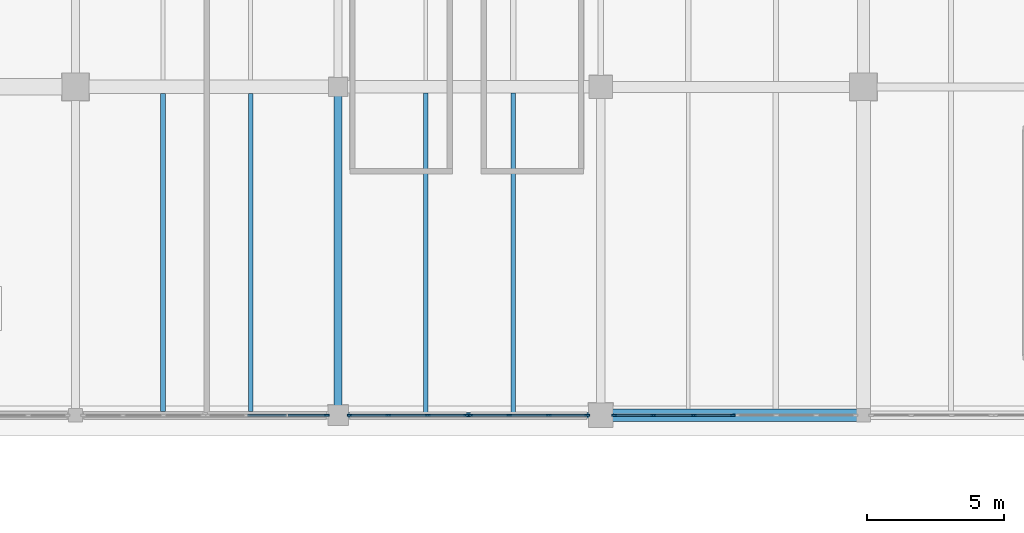
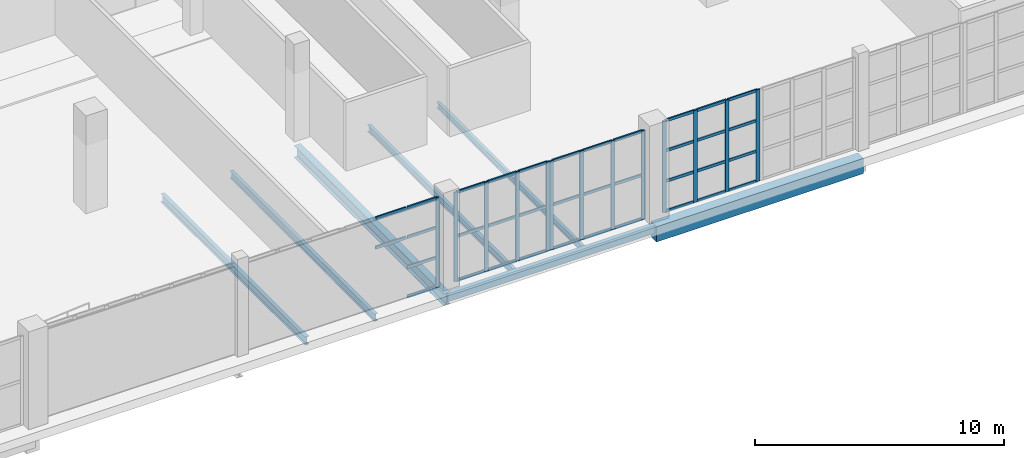
# One storey, part 19 of 121: 49 members, 7 beams, 4 elements without a shape of their own.
"""IFC4 building model written with IfcOpenShell, lengths in metres."""

from ifc_helpers import new_model, si_unit, direction, frame, origin, origin_2d, place, context, subcontext, project, spatial, rectangle, hollow_rectangle, i_section, extrude, material, layer, layer_set, material_profile, profile_set, type_object, element, aggregate, save


model = new_model("IFC4")

# Units and contexts
model_context = context("Model", 3, precision=1e-05, world=origin(), true_north=direction((0.0, 1.0)))
body_context = subcontext(model_context, "Body", "Model", "MODEL_VIEW")
ifc_project = project(units=[si_unit("LENGTHUNIT", "METRE"), si_unit("AREAUNIT", "SQUARE_METRE"), si_unit("VOLUMEUNIT", "CUBIC_METRE"), si_unit("PLANEANGLEUNIT", "RADIAN"), si_unit("MASSUNIT", "GRAM", prefix="KILO")], contexts=[model_context])

# Site, building, storey
site_placement = place(None, origin())
site = spatial("IfcSite", under=ifc_project, at=site_placement, CompositionType="ELEMENT")
building_placement = place(site_placement, origin())
building = spatial("IfcBuilding", under=site, at=building_placement, Name="Zereglee Splitstone Museum", CompositionType="ELEMENT")
storey_placement = place(building_placement, origin())
storey = spatial("IfcBuildingStorey", under=building, at=storey_placement, Name="L00", CompositionType="ELEMENT", Elevation=0.0)

# Curtain wall, member
ifc_material_1 = material(Name="Triple-glazed low-E argon glass and bronze-anodised aluminium", Category="aluminium")
ifc_layer_1 = layer(ifc_material_1, 0.179931640625)
ifc_layer_set_1 = layer_set([ifc_layer_1], Name="Triple-glazed low-E argon glass and bronze-anodised aluminium")
curtain_wall_type_1 = type_object("IfcCurtainWallType", Name="CW-0444-442", PredefinedType="USERDEFINED", material=ifc_layer_set_1)
curtain_wall_1_placement = place(storey_placement, origin())
curtain_wall_1 = element("IfcCurtainWall", 1, at=curtain_wall_1_placement, inside=storey, type_object=curtain_wall_type_1, Name="Glazed Curtain Wall CW-0444-442 (L00)", ObjectType="GLAZED CURTAIN WALL", PredefinedType="USERDEFINED")
ifc_material_2 = material(Name="Thermally broken bronze-anodised aluminium", Category="aluminium")
ifc_material_profile_1 = material_profile(ifc_material_2, rectangle(XDim=0.06494140625, YDim=0.179931640625, at=origin_2d()), Name="CW MULL 65x180")
ifc_profile_set_1 = profile_set([ifc_material_profile_1], Name="Thermally broken bronze-anodised aluminium")
member_type_1 = type_object("IfcMemberType", Name="CWM-01", PredefinedType="MULLION", material=ifc_profile_set_1)
member_1_placement = place(storey_placement, frame((115.984619140625, 9.60009765625, 0.0), z_axis=(0.0, 0.0, 1.0), x_axis=(0.0, 1.0, 0.0)))
member_1 = element("IfcMember", 2, at=member_1_placement, type_object=member_type_1, Name="CW-0444-442 mullion 4", PredefinedType="MULLION", context=body_context, shape_type="SweptSolid", body=[
    extrude(rectangle(XDim=0.06494140625, YDim=0.179931640625, at=origin_2d()), origin(), (0.0, 0.0, 1.0), 4.419921875),
])

# Curtain wall, members
ifc_layer_2 = layer(ifc_material_1, 0.179931640625)
ifc_layer_set_2 = layer_set([ifc_layer_2], Name="Triple-glazed low-E argon glass and bronze-anodised aluminium")
curtain_wall_type_2 = type_object("IfcCurtainWallType", Name="CW-0434-438", PredefinedType="USERDEFINED", material=ifc_layer_set_2)
curtain_wall_2_placement = place(storey_placement, origin())
curtain_wall_2 = element("IfcCurtainWall", 3, at=curtain_wall_2_placement, inside=storey, type_object=curtain_wall_type_2, Name="Glazed Curtain Wall CW-0434-438 (L00)", ObjectType="GLAZED CURTAIN WALL", PredefinedType="USERDEFINED")
member_2_placement = place(storey_placement, frame((116.8154296875, 9.60009765625, 0.0), z_axis=(0.0, 0.0, 1.0), x_axis=(0.0, 1.0, 0.0)))
member_2 = element("IfcMember", 4, at=member_2_placement, type_object=member_type_1, Name="CW-0434-438 mullion 1", PredefinedType="MULLION", context=body_context, shape_type="SweptSolid", body=[
    extrude(rectangle(XDim=0.06494140625, YDim=0.179931640625, at=origin_2d()), origin(), (0.0, 0.0, 1.0), 4.3798828125),
])
member_3_placement = place(storey_placement, frame((118.2294921875, 9.60009765625, 0.0), z_axis=(0.0, 0.0, 1.0), x_axis=(0.0, 1.0, 0.0)))
member_3 = element("IfcMember", 5, at=member_3_placement, type_object=member_type_1, Name="CW-0434-438 mullion 2", PredefinedType="MULLION", context=body_context, shape_type="SweptSolid", body=[
    extrude(rectangle(XDim=0.06494140625, YDim=0.179931640625, at=origin_2d()), origin(), (0.0, 0.0, 1.0), 4.3798828125),
])
member_4_placement = place(storey_placement, frame((119.676025390625, 9.60009765625, 0.0), z_axis=(0.0, 0.0, 1.0), x_axis=(0.0, 1.0, 0.0)))
member_4 = element("IfcMember", 6, at=member_4_placement, type_object=member_type_1, Name="CW-0434-438 mullion 3", PredefinedType="MULLION", context=body_context, shape_type="SweptSolid", body=[
    extrude(rectangle(XDim=0.06494140625, YDim=0.179931640625, at=origin_2d()), origin(), (0.0, 0.0, 1.0), 4.3798828125),
])
member_5_placement = place(storey_placement, frame((121.090087890625, 9.60009765625, 0.0), z_axis=(0.0, 0.0, 1.0), x_axis=(0.0, 1.0, 0.0)))
member_5 = element("IfcMember", 7, at=member_5_placement, type_object=member_type_1, Name="CW-0434-438 mullion 4", PredefinedType="MULLION", context=body_context, shape_type="SweptSolid", body=[
    extrude(rectangle(XDim=0.06494140625, YDim=0.179931640625, at=origin_2d()), origin(), (0.0, 0.0, 1.0), 4.3798828125),
])

ifc_layer_3 = layer(ifc_material_1, 0.179931640625)
ifc_layer_set_3 = layer_set([ifc_layer_3], Name="Triple-glazed low-E argon glass and bronze-anodised aluminium")
curtain_wall_type_3 = type_object("IfcCurtainWallType", Name="CW-0434-436", PredefinedType="USERDEFINED", material=ifc_layer_set_3)
curtain_wall_3_placement = place(storey_placement, origin())
curtain_wall_3 = element("IfcCurtainWall", 8, at=curtain_wall_3_placement, inside=storey, type_object=curtain_wall_type_3, Name="Glazed Curtain Wall CW-0434-436 (L00)", ObjectType="GLAZED CURTAIN WALL", PredefinedType="USERDEFINED")
member_6_placement = place(storey_placement, frame((121.235107421875, 9.60009765625, 0.0), z_axis=(0.0, 0.0, 1.0), x_axis=(0.0, 1.0, 0.0)))
member_6 = element("IfcMember", 9, at=member_6_placement, type_object=member_type_1, Name="CW-0434-436 mullion 1", PredefinedType="MULLION", context=body_context, shape_type="SweptSolid", body=[
    extrude(rectangle(XDim=0.06494140625, YDim=0.179931640625, at=origin_2d()), origin(), (0.0, 0.0, 1.0), 4.360107421875),
])
member_7_placement = place(storey_placement, frame((122.64892578125, 9.60009765625, 0.0), z_axis=(0.0, 0.0, 1.0), x_axis=(0.0, 1.0, 0.0)))
member_7 = element("IfcMember", 10, at=member_7_placement, type_object=member_type_1, Name="CW-0434-436 mullion 2", PredefinedType="MULLION", context=body_context, shape_type="SweptSolid", body=[
    extrude(rectangle(XDim=0.06494140625, YDim=0.179931640625, at=origin_2d()), origin(), (0.0, 0.0, 1.0), 4.360107421875),
])
member_8_placement = place(storey_placement, frame((124.095458984375, 9.60009765625, 0.0), z_axis=(0.0, 0.0, 1.0), x_axis=(0.0, 1.0, 0.0)))
member_8 = element("IfcMember", 11, at=member_8_placement, type_object=member_type_1, Name="CW-0434-436 mullion 3", PredefinedType="MULLION", context=body_context, shape_type="SweptSolid", body=[
    extrude(rectangle(XDim=0.06494140625, YDim=0.179931640625, at=origin_2d()), origin(), (0.0, 0.0, 1.0), 4.360107421875),
])
member_9_placement = place(storey_placement, frame((125.509521484375, 9.60009765625, 0.0), z_axis=(0.0, 0.0, 1.0), x_axis=(0.0, 1.0, 0.0)))
member_9 = element("IfcMember", 12, at=member_9_placement, type_object=member_type_1, Name="CW-0434-436 mullion 4", PredefinedType="MULLION", context=body_context, shape_type="SweptSolid", body=[
    extrude(rectangle(XDim=0.06494140625, YDim=0.179931640625, at=origin_2d()), origin(), (0.0, 0.0, 1.0), 4.360107421875),
])

ifc_layer_4 = layer(ifc_material_1, 0.179931640625)
ifc_layer_set_4 = layer_set([ifc_layer_4], Name="Triple-glazed low-E argon glass and bronze-anodised aluminium")
curtain_wall_type_4 = type_object("IfcCurtainWallType", Name="CW-0440-450", PredefinedType="USERDEFINED", material=ifc_layer_set_4)
curtain_wall_4_placement = place(storey_placement, origin())
curtain_wall_4 = element("IfcCurtainWall", 13, at=curtain_wall_4_placement, inside=storey, type_object=curtain_wall_type_4, Name="Glazed Curtain Wall CW-0440-450 (L00)", ObjectType="GLAZED CURTAIN WALL", PredefinedType="USERDEFINED")
member_10_placement = place(storey_placement, frame((126.490478515625, 9.60009765625, 0.0), z_axis=(0.0, 0.0, 1.0), x_axis=(0.0, 1.0, 0.0)))
member_10 = element("IfcMember", 14, at=member_10_placement, type_object=member_type_1, Name="CW-0440-450 mullion 1", PredefinedType="MULLION", context=body_context, shape_type="SweptSolid", body=[
    extrude(rectangle(XDim=0.06494140625, YDim=0.179931640625, at=origin_2d()), origin(), (0.0, 0.0, 1.0), 4.5),
])
member_11_placement = place(storey_placement, frame((127.92529296875, 9.60009765625, 0.0), z_axis=(0.0, 0.0, 1.0), x_axis=(0.0, 1.0, 0.0)))
member_11 = element("IfcMember", 15, at=member_11_placement, type_object=member_type_1, Name="CW-0440-450 mullion 2", PredefinedType="MULLION", context=body_context, shape_type="SweptSolid", body=[
    extrude(rectangle(XDim=0.06494140625, YDim=0.179931640625, at=origin_2d()), origin(), (0.0, 0.0, 1.0), 4.5),
])
member_12_placement = place(storey_placement, frame((129.392578125, 9.60009765625, 0.0), z_axis=(0.0, 0.0, 1.0), x_axis=(0.0, 1.0, 0.0)))
member_12 = element("IfcMember", 16, at=member_12_placement, type_object=member_type_1, Name="CW-0440-450 mullion 3", PredefinedType="MULLION", context=body_context, shape_type="SweptSolid", body=[
    extrude(rectangle(XDim=0.06494140625, YDim=0.179931640625, at=origin_2d()), origin(), (0.0, 0.0, 1.0), 4.5),
])
member_13_placement = place(storey_placement, frame((130.827392578125, 9.60009765625, 0.0), z_axis=(0.0, 0.0, 1.0), x_axis=(0.0, 1.0, 0.0)))
member_13 = element("IfcMember", 17, at=member_13_placement, type_object=member_type_1, Name="CW-0440-450 mullion 4", PredefinedType="MULLION", context=body_context, shape_type="SweptSolid", body=[
    extrude(rectangle(XDim=0.06494140625, YDim=0.179931640625, at=origin_2d()), origin(), (0.0, 0.0, 1.0), 4.5),
])

# Member
ifc_material_profile_2 = material_profile(ifc_material_2, rectangle(XDim=0.06494140625, YDim=0.139892578125, at=origin_2d()), Name="CW TRAN 65x140")
ifc_profile_set_2 = profile_set([ifc_material_profile_2], Name="Thermally broken bronze-anodised aluminium")
member_type_2 = type_object("IfcMemberType", Name="CWT-01", PredefinedType="USERDEFINED", material=ifc_profile_set_2)
member_14_placement = place(storey_placement, frame((113.08984375, 9.60009765625, 2.94677734375), z_axis=(1.0, 0.0, 0.0), x_axis=(0.0, 1.0, 0.0)))
member_14 = element("IfcMember", 18, at=member_14_placement, type_object=member_type_2, Name="CW-0444-442 transom 2.3", ObjectType="TRANSOM", PredefinedType="USERDEFINED", context=body_context, shape_type="SweptSolid", body=[
    extrude(rectangle(XDim=0.06494140625, YDim=0.139892578125, at=origin_2d()), origin(), (0.0, 0.0, 1.0), 1.414794921875),
])

member_15_placement = place(storey_placement, frame((113.08984375, 9.60009765625, 4.387451171875), z_axis=(1.0, 0.0, 0.0), x_axis=(0.0, 1.0, 0.0)))
member_15 = element("IfcMember", 19, at=member_15_placement, type_object=member_type_2, Name="CW-0444-442 transom 2.4", ObjectType="TRANSOM", PredefinedType="USERDEFINED", context=body_context, shape_type="SweptSolid", body=[
    extrude(rectangle(XDim=0.06494140625, YDim=0.139892578125, at=origin_2d()), origin(), (0.0, 0.0, 1.0), 1.414794921875),
])

member_16_placement = place(storey_placement, frame((114.569580078125, 9.60009765625, 0.032470703125), z_axis=(1.0, 0.0, 0.0), x_axis=(0.0, 1.0, 0.0)))
member_16 = element("IfcMember", 20, at=member_16_placement, type_object=member_type_2, Name="CW-0444-442 transom 3.1", ObjectType="TRANSOM", PredefinedType="USERDEFINED", context=body_context, shape_type="SweptSolid", body=[
    extrude(rectangle(XDim=0.06494140625, YDim=0.139892578125, at=origin_2d()), origin(), (0.0, 0.0, 1.0), 1.38232421875),
])

member_17_placement = place(storey_placement, frame((114.569580078125, 9.60009765625, 1.473388671875), z_axis=(1.0, 0.0, 0.0), x_axis=(0.0, 1.0, 0.0)))
member_17 = element("IfcMember", 21, at=member_17_placement, type_object=member_type_2, Name="CW-0444-442 transom 3.2", ObjectType="TRANSOM", PredefinedType="USERDEFINED", context=body_context, shape_type="SweptSolid", body=[
    extrude(rectangle(XDim=0.06494140625, YDim=0.139892578125, at=origin_2d()), origin(), (0.0, 0.0, 1.0), 1.38232421875),
])

member_18_placement = place(storey_placement, frame((114.569580078125, 9.60009765625, 2.94677734375), z_axis=(1.0, 0.0, 0.0), x_axis=(0.0, 1.0, 0.0)))
member_18 = element("IfcMember", 22, at=member_18_placement, type_object=member_type_2, Name="CW-0444-442 transom 3.3", ObjectType="TRANSOM", PredefinedType="USERDEFINED", context=body_context, shape_type="SweptSolid", body=[
    extrude(rectangle(XDim=0.06494140625, YDim=0.139892578125, at=origin_2d()), origin(), (0.0, 0.0, 1.0), 1.38232421875),
])

member_19_placement = place(storey_placement, frame((114.569580078125, 9.60009765625, 4.387451171875), z_axis=(1.0, 0.0, 0.0), x_axis=(0.0, 1.0, 0.0)))
member_19 = element("IfcMember", 23, at=member_19_placement, type_object=member_type_2, Name="CW-0444-442 transom 3.4", ObjectType="TRANSOM", PredefinedType="USERDEFINED", context=body_context, shape_type="SweptSolid", body=[
    extrude(rectangle(XDim=0.06494140625, YDim=0.139892578125, at=origin_2d()), origin(), (0.0, 0.0, 1.0), 1.38232421875),
])

aggregate(curtain_wall_1, [member_1, member_14, member_15, member_16, member_17, member_18, member_19])

member_20_placement = place(storey_placement, frame((116.847900390625, 9.60009765625, 0.032470703125), z_axis=(1.0, 0.0, 0.0), x_axis=(0.0, 1.0, 0.0)))
member_20 = element("IfcMember", 24, at=member_20_placement, type_object=member_type_2, Name="CW-0434-438 transom 1.1", ObjectType="TRANSOM", PredefinedType="USERDEFINED", context=body_context, shape_type="SweptSolid", body=[
    extrude(rectangle(XDim=0.06494140625, YDim=0.139892578125, at=origin_2d()), origin(), (0.0, 0.0, 1.0), 1.34912109375),
])

member_21_placement = place(storey_placement, frame((116.847900390625, 9.60009765625, 2.18994140625), z_axis=(1.0, 0.0, 0.0), x_axis=(0.0, 1.0, 0.0)))
member_21 = element("IfcMember", 25, at=member_21_placement, type_object=member_type_2, Name="CW-0434-438 transom 1.2", ObjectType="TRANSOM", PredefinedType="USERDEFINED", context=body_context, shape_type="SweptSolid", body=[
    extrude(rectangle(XDim=0.06494140625, YDim=0.139892578125, at=origin_2d()), origin(), (0.0, 0.0, 1.0), 1.34912109375),
])

member_22_placement = place(storey_placement, frame((116.847900390625, 9.60009765625, 4.347412109375), z_axis=(1.0, 0.0, 0.0), x_axis=(0.0, 1.0, 0.0)))
member_22 = element("IfcMember", 26, at=member_22_placement, type_object=member_type_2, Name="CW-0434-438 transom 1.3", ObjectType="TRANSOM", PredefinedType="USERDEFINED", context=body_context, shape_type="SweptSolid", body=[
    extrude(rectangle(XDim=0.06494140625, YDim=0.139892578125, at=origin_2d()), origin(), (0.0, 0.0, 1.0), 1.34912109375),
])

member_23_placement = place(storey_placement, frame((118.261962890625, 9.60009765625, 0.032470703125), z_axis=(1.0, 0.0, 0.0), x_axis=(0.0, 1.0, 0.0)))
member_23 = element("IfcMember", 27, at=member_23_placement, type_object=member_type_2, Name="CW-0434-438 transom 2.1", ObjectType="TRANSOM", PredefinedType="USERDEFINED", context=body_context, shape_type="SweptSolid", body=[
    extrude(rectangle(XDim=0.06494140625, YDim=0.139892578125, at=origin_2d()), origin(), (0.0, 0.0, 1.0), 1.381591796875),
])

member_24_placement = place(storey_placement, frame((118.261962890625, 9.60009765625, 2.18994140625), z_axis=(1.0, 0.0, 0.0), x_axis=(0.0, 1.0, 0.0)))
member_24 = element("IfcMember", 28, at=member_24_placement, type_object=member_type_2, Name="CW-0434-438 transom 2.2", ObjectType="TRANSOM", PredefinedType="USERDEFINED", context=body_context, shape_type="SweptSolid", body=[
    extrude(rectangle(XDim=0.06494140625, YDim=0.139892578125, at=origin_2d()), origin(), (0.0, 0.0, 1.0), 1.381591796875),
])

member_25_placement = place(storey_placement, frame((118.261962890625, 9.60009765625, 4.347412109375), z_axis=(1.0, 0.0, 0.0), x_axis=(0.0, 1.0, 0.0)))
member_25 = element("IfcMember", 29, at=member_25_placement, type_object=member_type_2, Name="CW-0434-438 transom 2.3", ObjectType="TRANSOM", PredefinedType="USERDEFINED", context=body_context, shape_type="SweptSolid", body=[
    extrude(rectangle(XDim=0.06494140625, YDim=0.139892578125, at=origin_2d()), origin(), (0.0, 0.0, 1.0), 1.381591796875),
])

member_26_placement = place(storey_placement, frame((119.70849609375, 9.60009765625, 0.032470703125), z_axis=(1.0, 0.0, 0.0), x_axis=(0.0, 1.0, 0.0)))
member_26 = element("IfcMember", 30, at=member_26_placement, type_object=member_type_2, Name="CW-0434-438 transom 3.1", ObjectType="TRANSOM", PredefinedType="USERDEFINED", context=body_context, shape_type="SweptSolid", body=[
    extrude(rectangle(XDim=0.06494140625, YDim=0.139892578125, at=origin_2d()), origin(), (0.0, 0.0, 1.0), 1.34912109375),
])

member_27_placement = place(storey_placement, frame((119.70849609375, 9.60009765625, 2.18994140625), z_axis=(1.0, 0.0, 0.0), x_axis=(0.0, 1.0, 0.0)))
member_27 = element("IfcMember", 31, at=member_27_placement, type_object=member_type_2, Name="CW-0434-438 transom 3.2", ObjectType="TRANSOM", PredefinedType="USERDEFINED", context=body_context, shape_type="SweptSolid", body=[
    extrude(rectangle(XDim=0.06494140625, YDim=0.139892578125, at=origin_2d()), origin(), (0.0, 0.0, 1.0), 1.34912109375),
])

member_28_placement = place(storey_placement, frame((119.70849609375, 9.60009765625, 4.347412109375), z_axis=(1.0, 0.0, 0.0), x_axis=(0.0, 1.0, 0.0)))
member_28 = element("IfcMember", 32, at=member_28_placement, type_object=member_type_2, Name="CW-0434-438 transom 3.3", ObjectType="TRANSOM", PredefinedType="USERDEFINED", context=body_context, shape_type="SweptSolid", body=[
    extrude(rectangle(XDim=0.06494140625, YDim=0.139892578125, at=origin_2d()), origin(), (0.0, 0.0, 1.0), 1.34912109375),
])

aggregate(curtain_wall_2, [member_2, member_3, member_4, member_5, member_20, member_21, member_22, member_23, member_24, member_25, member_26, member_27, member_28])

member_29_placement = place(storey_placement, frame((121.267578125, 9.60009765625, 0.032470703125), z_axis=(1.0, 0.0, 0.0), x_axis=(0.0, 1.0, 0.0)))
member_29 = element("IfcMember", 33, at=member_29_placement, type_object=member_type_2, Name="CW-0434-436 transom 1.1", ObjectType="TRANSOM", PredefinedType="USERDEFINED", context=body_context, shape_type="SweptSolid", body=[
    extrude(rectangle(XDim=0.06494140625, YDim=0.139892578125, at=origin_2d()), origin(), (0.0, 0.0, 1.0), 1.348876953125),
])

member_30_placement = place(storey_placement, frame((121.267578125, 9.60009765625, 2.179931640625), z_axis=(1.0, 0.0, 0.0), x_axis=(0.0, 1.0, 0.0)))
member_30 = element("IfcMember", 34, at=member_30_placement, type_object=member_type_2, Name="CW-0434-436 transom 1.2", ObjectType="TRANSOM", PredefinedType="USERDEFINED", context=body_context, shape_type="SweptSolid", body=[
    extrude(rectangle(XDim=0.06494140625, YDim=0.139892578125, at=origin_2d()), origin(), (0.0, 0.0, 1.0), 1.348876953125),
])

member_31_placement = place(storey_placement, frame((121.267578125, 9.60009765625, 4.327392578125), z_axis=(1.0, 0.0, 0.0), x_axis=(0.0, 1.0, 0.0)))
member_31 = element("IfcMember", 35, at=member_31_placement, type_object=member_type_2, Name="CW-0434-436 transom 1.3", ObjectType="TRANSOM", PredefinedType="USERDEFINED", context=body_context, shape_type="SweptSolid", body=[
    extrude(rectangle(XDim=0.06494140625, YDim=0.139892578125, at=origin_2d()), origin(), (0.0, 0.0, 1.0), 1.348876953125),
])

member_32_placement = place(storey_placement, frame((122.681396484375, 9.60009765625, 0.032470703125), z_axis=(1.0, 0.0, 0.0), x_axis=(0.0, 1.0, 0.0)))
member_32 = element("IfcMember", 36, at=member_32_placement, type_object=member_type_2, Name="CW-0434-436 transom 2.1", ObjectType="TRANSOM", PredefinedType="USERDEFINED", context=body_context, shape_type="SweptSolid", body=[
    extrude(rectangle(XDim=0.06494140625, YDim=0.139892578125, at=origin_2d()), origin(), (0.0, 0.0, 1.0), 1.381591796875),
])

member_33_placement = place(storey_placement, frame((122.681396484375, 9.60009765625, 2.179931640625), z_axis=(1.0, 0.0, 0.0), x_axis=(0.0, 1.0, 0.0)))
member_33 = element("IfcMember", 37, at=member_33_placement, type_object=member_type_2, Name="CW-0434-436 transom 2.2", ObjectType="TRANSOM", PredefinedType="USERDEFINED", context=body_context, shape_type="SweptSolid", body=[
    extrude(rectangle(XDim=0.06494140625, YDim=0.139892578125, at=origin_2d()), origin(), (0.0, 0.0, 1.0), 1.381591796875),
])

member_34_placement = place(storey_placement, frame((122.681396484375, 9.60009765625, 4.327392578125), z_axis=(1.0, 0.0, 0.0), x_axis=(0.0, 1.0, 0.0)))
member_34 = element("IfcMember", 38, at=member_34_placement, type_object=member_type_2, Name="CW-0434-436 transom 2.3", ObjectType="TRANSOM", PredefinedType="USERDEFINED", context=body_context, shape_type="SweptSolid", body=[
    extrude(rectangle(XDim=0.06494140625, YDim=0.139892578125, at=origin_2d()), origin(), (0.0, 0.0, 1.0), 1.381591796875),
])

member_35_placement = place(storey_placement, frame((124.1279296875, 9.60009765625, 0.032470703125), z_axis=(1.0, 0.0, 0.0), x_axis=(0.0, 1.0, 0.0)))
member_35 = element("IfcMember", 39, at=member_35_placement, type_object=member_type_2, Name="CW-0434-436 transom 3.1", ObjectType="TRANSOM", PredefinedType="USERDEFINED", context=body_context, shape_type="SweptSolid", body=[
    extrude(rectangle(XDim=0.06494140625, YDim=0.139892578125, at=origin_2d()), origin(), (0.0, 0.0, 1.0), 1.34912109375),
])

member_36_placement = place(storey_placement, frame((124.1279296875, 9.60009765625, 2.179931640625), z_axis=(1.0, 0.0, 0.0), x_axis=(0.0, 1.0, 0.0)))
member_36 = element("IfcMember", 40, at=member_36_placement, type_object=member_type_2, Name="CW-0434-436 transom 3.2", ObjectType="TRANSOM", PredefinedType="USERDEFINED", context=body_context, shape_type="SweptSolid", body=[
    extrude(rectangle(XDim=0.06494140625, YDim=0.139892578125, at=origin_2d()), origin(), (0.0, 0.0, 1.0), 1.34912109375),
])

member_37_placement = place(storey_placement, frame((124.1279296875, 9.60009765625, 4.327392578125), z_axis=(1.0, 0.0, 0.0), x_axis=(0.0, 1.0, 0.0)))
member_37 = element("IfcMember", 41, at=member_37_placement, type_object=member_type_2, Name="CW-0434-436 transom 3.3", ObjectType="TRANSOM", PredefinedType="USERDEFINED", context=body_context, shape_type="SweptSolid", body=[
    extrude(rectangle(XDim=0.06494140625, YDim=0.139892578125, at=origin_2d()), origin(), (0.0, 0.0, 1.0), 1.34912109375),
])

aggregate(curtain_wall_3, [member_6, member_7, member_8, member_9, member_29, member_30, member_31, member_32, member_33, member_34, member_35, member_36, member_37])

member_38_placement = place(storey_placement, frame((126.52294921875, 9.60009765625, 0.032470703125), z_axis=(1.0, 0.0, 0.0), x_axis=(0.0, 1.0, 0.0)))
member_38 = element("IfcMember", 42, at=member_38_placement, type_object=member_type_2, Name="CW-0440-450 transom 1.1", ObjectType="TRANSOM", PredefinedType="USERDEFINED", context=body_context, shape_type="SweptSolid", body=[
    extrude(rectangle(XDim=0.06494140625, YDim=0.139892578125, at=origin_2d()), origin(), (0.0, 0.0, 1.0), 1.369873046875),
])

member_39_placement = place(storey_placement, frame((126.52294921875, 9.60009765625, 1.5), z_axis=(1.0, 0.0, 0.0), x_axis=(0.0, 1.0, 0.0)))
member_39 = element("IfcMember", 43, at=member_39_placement, type_object=member_type_2, Name="CW-0440-450 transom 1.2", ObjectType="TRANSOM", PredefinedType="USERDEFINED", context=body_context, shape_type="SweptSolid", body=[
    extrude(rectangle(XDim=0.06494140625, YDim=0.139892578125, at=origin_2d()), origin(), (0.0, 0.0, 1.0), 1.369873046875),
])

member_40_placement = place(storey_placement, frame((126.52294921875, 9.60009765625, 3.0), z_axis=(1.0, 0.0, 0.0), x_axis=(0.0, 1.0, 0.0)))
member_40 = element("IfcMember", 44, at=member_40_placement, type_object=member_type_2, Name="CW-0440-450 transom 1.3", ObjectType="TRANSOM", PredefinedType="USERDEFINED", context=body_context, shape_type="SweptSolid", body=[
    extrude(rectangle(XDim=0.06494140625, YDim=0.139892578125, at=origin_2d()), origin(), (0.0, 0.0, 1.0), 1.369873046875),
])

member_41_placement = place(storey_placement, frame((126.52294921875, 9.60009765625, 4.467529296875), z_axis=(1.0, 0.0, 0.0), x_axis=(0.0, 1.0, 0.0)))
member_41 = element("IfcMember", 45, at=member_41_placement, type_object=member_type_2, Name="CW-0440-450 transom 1.4", ObjectType="TRANSOM", PredefinedType="USERDEFINED", context=body_context, shape_type="SweptSolid", body=[
    extrude(rectangle(XDim=0.06494140625, YDim=0.139892578125, at=origin_2d()), origin(), (0.0, 0.0, 1.0), 1.369873046875),
])

member_42_placement = place(storey_placement, frame((127.957763671875, 9.60009765625, 0.032470703125), z_axis=(1.0, 0.0, 0.0), x_axis=(0.0, 1.0, 0.0)))
member_42 = element("IfcMember", 46, at=member_42_placement, type_object=member_type_2, Name="CW-0440-450 transom 2.1", ObjectType="TRANSOM", PredefinedType="USERDEFINED", context=body_context, shape_type="SweptSolid", body=[
    extrude(rectangle(XDim=0.06494140625, YDim=0.139892578125, at=origin_2d()), origin(), (0.0, 0.0, 1.0), 1.40234375),
])

member_43_placement = place(storey_placement, frame((127.957763671875, 9.60009765625, 1.5), z_axis=(1.0, 0.0, 0.0), x_axis=(0.0, 1.0, 0.0)))
member_43 = element("IfcMember", 47, at=member_43_placement, type_object=member_type_2, Name="CW-0440-450 transom 2.2", ObjectType="TRANSOM", PredefinedType="USERDEFINED", context=body_context, shape_type="SweptSolid", body=[
    extrude(rectangle(XDim=0.06494140625, YDim=0.139892578125, at=origin_2d()), origin(), (0.0, 0.0, 1.0), 1.40234375),
])

member_44_placement = place(storey_placement, frame((127.957763671875, 9.60009765625, 3.0), z_axis=(1.0, 0.0, 0.0), x_axis=(0.0, 1.0, 0.0)))
member_44 = element("IfcMember", 48, at=member_44_placement, type_object=member_type_2, Name="CW-0440-450 transom 2.3", ObjectType="TRANSOM", PredefinedType="USERDEFINED", context=body_context, shape_type="SweptSolid", body=[
    extrude(rectangle(XDim=0.06494140625, YDim=0.139892578125, at=origin_2d()), origin(), (0.0, 0.0, 1.0), 1.40234375),
])

member_45_placement = place(storey_placement, frame((127.957763671875, 9.60009765625, 4.467529296875), z_axis=(1.0, 0.0, 0.0), x_axis=(0.0, 1.0, 0.0)))
member_45 = element("IfcMember", 49, at=member_45_placement, type_object=member_type_2, Name="CW-0440-450 transom 2.4", ObjectType="TRANSOM", PredefinedType="USERDEFINED", context=body_context, shape_type="SweptSolid", body=[
    extrude(rectangle(XDim=0.06494140625, YDim=0.139892578125, at=origin_2d()), origin(), (0.0, 0.0, 1.0), 1.40234375),
])

member_46_placement = place(storey_placement, frame((129.425048828125, 9.60009765625, 0.032470703125), z_axis=(1.0, 0.0, 0.0), x_axis=(0.0, 1.0, 0.0)))
member_46 = element("IfcMember", 50, at=member_46_placement, type_object=member_type_2, Name="CW-0440-450 transom 3.1", ObjectType="TRANSOM", PredefinedType="USERDEFINED", context=body_context, shape_type="SweptSolid", body=[
    extrude(rectangle(XDim=0.06494140625, YDim=0.139892578125, at=origin_2d()), origin(), (0.0, 0.0, 1.0), 1.369873046875),
])

member_47_placement = place(storey_placement, frame((129.425048828125, 9.60009765625, 1.5), z_axis=(1.0, 0.0, 0.0), x_axis=(0.0, 1.0, 0.0)))
member_47 = element("IfcMember", 51, at=member_47_placement, type_object=member_type_2, Name="CW-0440-450 transom 3.2", ObjectType="TRANSOM", PredefinedType="USERDEFINED", context=body_context, shape_type="SweptSolid", body=[
    extrude(rectangle(XDim=0.06494140625, YDim=0.139892578125, at=origin_2d()), origin(), (0.0, 0.0, 1.0), 1.369873046875),
])

member_48_placement = place(storey_placement, frame((129.425048828125, 9.60009765625, 3.0), z_axis=(1.0, 0.0, 0.0), x_axis=(0.0, 1.0, 0.0)))
member_48 = element("IfcMember", 52, at=member_48_placement, type_object=member_type_2, Name="CW-0440-450 transom 3.3", ObjectType="TRANSOM", PredefinedType="USERDEFINED", context=body_context, shape_type="SweptSolid", body=[
    extrude(rectangle(XDim=0.06494140625, YDim=0.139892578125, at=origin_2d()), origin(), (0.0, 0.0, 1.0), 1.369873046875),
])

member_49_placement = place(storey_placement, frame((129.425048828125, 9.60009765625, 4.467529296875), z_axis=(1.0, 0.0, 0.0), x_axis=(0.0, 1.0, 0.0)))
member_49 = element("IfcMember", 53, at=member_49_placement, type_object=member_type_2, Name="CW-0440-450 transom 3.4", ObjectType="TRANSOM", PredefinedType="USERDEFINED", context=body_context, shape_type="SweptSolid", body=[
    extrude(rectangle(XDim=0.06494140625, YDim=0.139892578125, at=origin_2d()), origin(), (0.0, 0.0, 1.0), 1.369873046875),
])

aggregate(curtain_wall_4, [member_10, member_11, member_12, member_13, member_38, member_39, member_40, member_41, member_42, member_43, member_44, member_45, member_46, member_47, member_48, member_49])

# Beams
ifc_material_3 = material(Name="Steel S355J2", Category="steel")
ifc_material_profile_3 = material_profile(ifc_material_3, i_section(OverallWidth=0.300048828125, OverallDepth=0.60009765625, WebThickness=0.015380859375, FlangeThickness=0.030029296875, FilletRadius=0.027099609375, at=origin_2d()), Name="HE 600 B")
ifc_profile_set_3 = profile_set([ifc_material_profile_3], Name="Steel S355J2")
beam_type_1 = type_object("IfcBeamType", Name="BG-10", PredefinedType="BEAM", material=ifc_profile_set_3)
beam_1_placement = place(storey_placement, frame((116.39990234375, 9.60009765625, -0.719970703125), z_axis=(0.0, 1.0, 0.0), x_axis=(-1.0, 0.0, 0.0)))
element("IfcBeam", 54, at=beam_1_placement, inside=storey, type_object=beam_type_1, Name="Primary Girder L00 14 (9.6-21.6)", PredefinedType="BEAM", context=body_context, shape_type="SweptSolid", body=[
    extrude(i_section(OverallWidth=0.300048828125, OverallDepth=0.60009765625, WebThickness=0.015380859375, FlangeThickness=0.030029296875, FilletRadius=0.027099609375, at=origin_2d()), origin(), (0.0, 0.0, 1.0), 12.0),
])
ifc_material_profile_4 = material_profile(ifc_material_3, i_section(OverallWidth=0.14990234375, OverallDepth=0.300048828125, WebThickness=0.007080078125, FlangeThickness=0.0107421875, FilletRadius=0.014892578125, at=origin_2d()), Name="IPE 300")
ifc_profile_set_4 = profile_set([ifc_material_profile_4], Name="Steel S355J2")
beam_type_2 = type_object("IfcBeamType", Name="BJ-06", PredefinedType="JOIST", material=ifc_profile_set_4)
beam_2_placement = place(storey_placement, frame((122.800048828125, 9.699951171875, -0.570068359375), z_axis=(0.0, 1.0, 0.0), x_axis=(-1.0, 0.0, 0.0)))
element("IfcBeam", 55, at=beam_2_placement, inside=storey, type_object=beam_type_2, Name="Secondary Floor Joist L00-0285", PredefinedType="JOIST", context=body_context, shape_type="SweptSolid", body=[
    extrude(i_section(OverallWidth=0.14990234375, OverallDepth=0.300048828125, WebThickness=0.007080078125, FlangeThickness=0.0107421875, FilletRadius=0.014892578125, at=origin_2d()), origin(), (0.0, 0.0, 1.0), 11.675048828125),
])
ifc_material_profile_5 = material_profile(ifc_material_3, i_section(OverallWidth=0.159912109375, OverallDepth=0.330078125, WebThickness=0.007568359375, FlangeThickness=0.011474609375, FilletRadius=0.01806640625, at=origin_2d()), Name="IPE 330")
ifc_profile_set_5 = profile_set([ifc_material_profile_5], Name="Steel S355J2")
beam_type_3 = type_object("IfcBeamType", Name="BJ-05", PredefinedType="JOIST", material=ifc_profile_set_5)
beam_3_placement = place(storey_placement, frame((119.60009765625, 9.699951171875, -0.5849609375), z_axis=(0.0, 1.0, 0.0), x_axis=(-1.0, 0.0, 0.0)))
element("IfcBeam", 56, at=beam_3_placement, inside=storey, type_object=beam_type_3, Name="Secondary Floor Joist L00-0284", PredefinedType="JOIST", context=body_context, shape_type="SweptSolid", body=[
    extrude(i_section(OverallWidth=0.159912109375, OverallDepth=0.330078125, WebThickness=0.007568359375, FlangeThickness=0.011474609375, FilletRadius=0.01806640625, at=origin_2d()), origin(), (0.0, 0.0, 1.0), 11.675048828125),
])
ifc_material_profile_6 = material_profile(ifc_material_3, i_section(OverallWidth=0.169921875, OverallDepth=0.360107421875, WebThickness=0.008056640625, FlangeThickness=0.0126953125, FilletRadius=0.01806640625, at=origin_2d()), Name="IPE 360")
ifc_profile_set_6 = profile_set([ifc_material_profile_6], Name="Steel S355J2")
beam_type_4 = type_object("IfcBeamType", Name="BJ-04", PredefinedType="JOIST", material=ifc_profile_set_6)
beam_4_placement = place(storey_placement, frame((113.199951171875, 9.739990234375, -0.60009765625), z_axis=(0.0, 1.0, 0.0), x_axis=(-1.0, 0.0, 0.0)))
element("IfcBeam", 57, at=beam_4_placement, inside=storey, type_object=beam_type_4, Name="Secondary Floor Joist L00-0283", PredefinedType="JOIST", context=body_context, shape_type="SweptSolid", body=[
    extrude(i_section(OverallWidth=0.169921875, OverallDepth=0.360107421875, WebThickness=0.008056640625, FlangeThickness=0.0126953125, FilletRadius=0.01806640625, at=origin_2d()), origin(), (0.0, 0.0, 1.0), 11.610107421875),
])
ifc_material_profile_7 = material_profile(ifc_material_3, i_section(OverallWidth=0.179931640625, OverallDepth=0.39990234375, WebThickness=0.008544921875, FlangeThickness=0.013427734375, FilletRadius=0.02099609375, at=origin_2d()), Name="IPE 400")
ifc_profile_set_7 = profile_set([ifc_material_profile_7], Name="Steel S355J2")
beam_type_5 = type_object("IfcBeamType", Name="BJ-03", PredefinedType="JOIST", material=ifc_profile_set_7)
beam_5_placement = place(storey_placement, frame((110.0, 9.739990234375, -0.6201171875), z_axis=(0.0, 1.0, 0.0), x_axis=(-1.0, 0.0, 0.0)))
element("IfcBeam", 58, at=beam_5_placement, inside=storey, type_object=beam_type_5, Name="Secondary Floor Joist L00-0282", PredefinedType="JOIST", context=body_context, shape_type="SweptSolid", body=[
    extrude(i_section(OverallWidth=0.179931640625, OverallDepth=0.39990234375, WebThickness=0.008544921875, FlangeThickness=0.013427734375, FilletRadius=0.02099609375, at=origin_2d()), origin(), (0.0, 0.0, 1.0), 11.610107421875),
])
ifc_material_4 = material(Name="Concrete C40/50", Category="concrete")
ifc_material_profile_8 = material_profile(ifc_material_4, rectangle(XDim=0.449951171875, YDim=0.75, at=origin_2d()), Name="RC 450x750")
ifc_profile_set_8 = profile_set([ifc_material_profile_8], Name="Concrete C40/50")
beam_type_6 = type_object("IfcBeamType", Name="SP-01", PredefinedType="SPANDREL", material=ifc_profile_set_8)
beam_6_placement = place(storey_placement, frame((126.0, 9.60009765625, -0.794921875), z_axis=(1.0, 0.0, 0.0), x_axis=(0.0, 1.0, 0.0)))
element("IfcBeam", 59, at=beam_6_placement, inside=storey, type_object=beam_type_6, Name="Primary Girder L00 B (126.0-135.6)", PredefinedType="SPANDREL", context=body_context, shape_type="SweptSolid", body=[
    extrude(rectangle(XDim=0.449951171875, YDim=0.75, at=origin_2d()), origin(), (0.0, 0.0, 1.0), 9.60009765625),
])
ifc_material_5 = material(Name="Steel S355J2H", Category="steel")
ifc_material_profile_9 = material_profile(ifc_material_5, hollow_rectangle(XDim=0.199951171875, YDim=0.39990234375, WallThickness=0.01611328125, at=origin_2d()), Name="RHS 400x200x16")
ifc_profile_set_9 = profile_set([ifc_material_profile_9], Name="Steel S355J2H")
beam_type_7 = type_object("IfcBeamType", Name="SP-04", PredefinedType="SPANDREL", material=ifc_profile_set_9)
beam_7_placement = place(storey_placement, frame((116.39990234375, 9.60009765625, -0.6201171875), z_axis=(1.0, 0.0, 0.0), x_axis=(0.0, 1.0, 0.0)))
element("IfcBeam", 60, at=beam_7_placement, inside=storey, type_object=beam_type_7, Name="Primary Girder L00 B (116.4-126.0)", PredefinedType="SPANDREL", context=body_context, shape_type="SweptSolid", body=[
    extrude(hollow_rectangle(XDim=0.199951171875, YDim=0.39990234375, WallThickness=0.01611328125, at=origin_2d()), origin(), (0.0, 0.0, 1.0), 9.60009765625),
])

save(model, "model.ifc")
